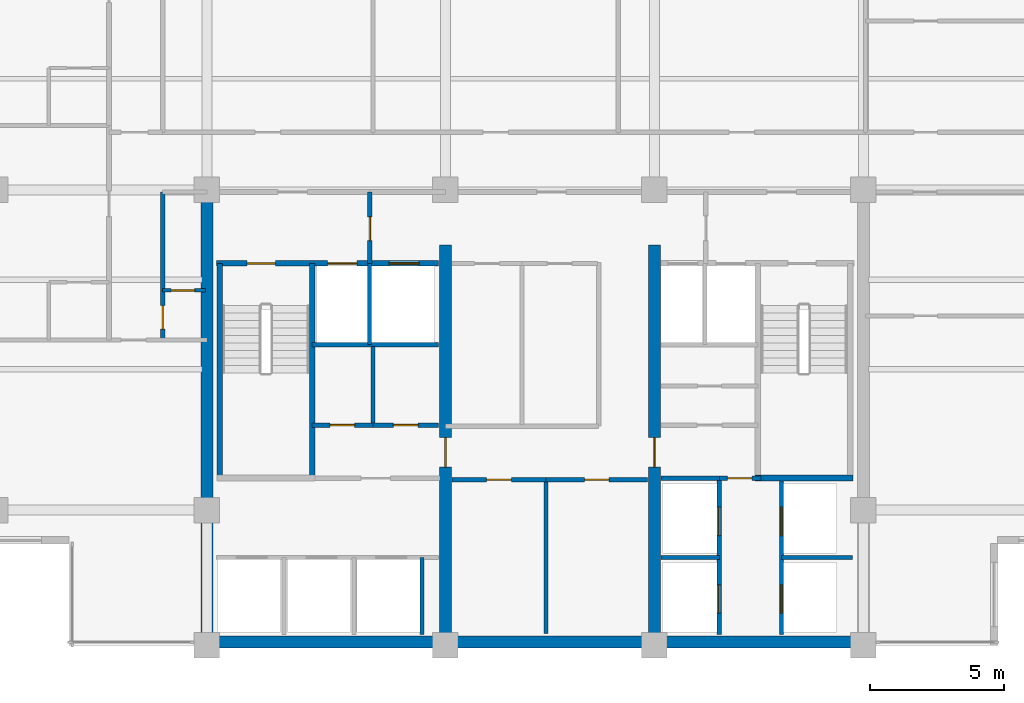
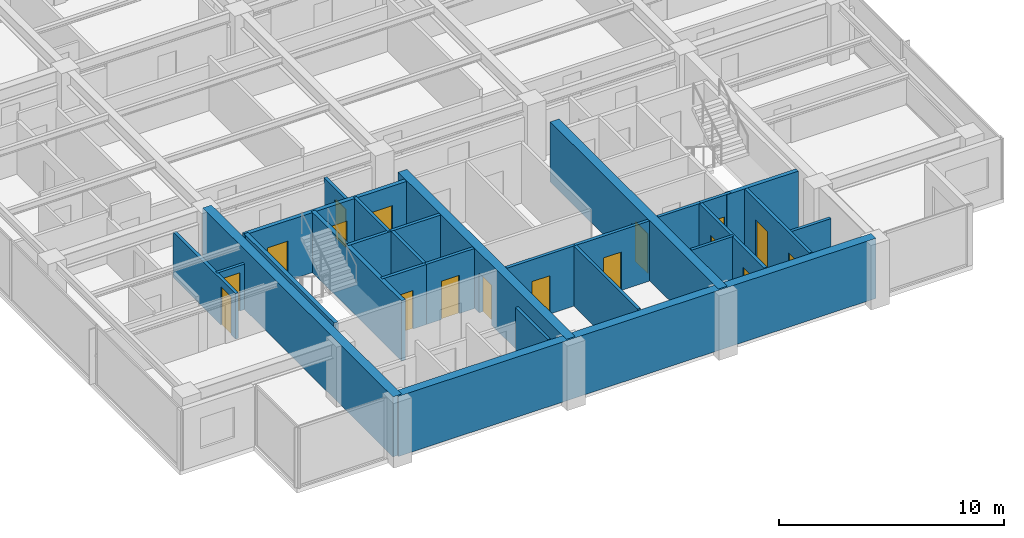
# One storey, part 7 of 14: 26 walls, 17 doors, 17 openings.
"""IFC4 building model written with IfcOpenShell, lengths in metres."""

from ifc_helpers import new_model, si_unit, direction, frame, frame_2d, origin, place, context, subcontext, project, spatial, rectangle, extrude, material, layer, layer_set, type_object, element, fill, save


model = new_model("IFC4")

# Units and contexts
model_context = context("Model", 3, precision=1e-05, world=origin(), true_north=direction((0.0, 1.0)))
body_context = subcontext(model_context, "Body", "Model", "MODEL_VIEW")
ifc_project = project(units=[si_unit("LENGTHUNIT", "METRE"), si_unit("AREAUNIT", "SQUARE_METRE"), si_unit("VOLUMEUNIT", "CUBIC_METRE"), si_unit("PLANEANGLEUNIT", "RADIAN"), si_unit("MASSUNIT", "GRAM", prefix="KILO")], contexts=[model_context])

# Site, building, storey
site_placement = place(None, origin())
site = spatial("IfcSite", under=ifc_project, at=site_placement, CompositionType="ELEMENT")
building_placement = place(site_placement, origin())
building = spatial("IfcBuilding", under=site, at=building_placement, Name="Qalmaran Belvedere Hotel", CompositionType="ELEMENT")
storey_placement = place(building_placement, frame((0.0, 0.0, 210.89990234375)))
storey = spatial("IfcBuildingStorey", under=building, at=storey_placement, Name="L53", CompositionType="ELEMENT", Elevation=210.89990234375)

# Wall
ifc_material_1 = material(Name="Concrete C50/60", Category="concrete")
ifc_layer_1 = layer(ifc_material_1, 0.449951171875, Name="Concrete C50/60")
ifc_layer_set_1 = layer_set([ifc_layer_1], Name="Concrete C50/60")
wall_type_1 = type_object("IfcWallType", Name="WL-CORE-450-C50", PredefinedType="SHEAR", material=ifc_layer_set_1)
wall_1_placement = place(storey_placement, frame((20.300048828125, 3.5, 0.0), z_axis=(0.0, 0.0, 1.0), x_axis=(0.0, 1.0, 0.0)))
element("IfcWall", 1, at=wall_1_placement, inside=storey, type_object=wall_type_1, Name="L53 West Core Shear Wall", PredefinedType="SHEAR", context=body_context, shape_type="SweptSolid", body=[
    extrude(rectangle(XDim=16.89990234375, YDim=0.449951171875, at=frame_2d((8.449951171875, 0.0))), origin(), (0.0, 0.0, 1.0), 3.260009765625),
])

# Wall, opening, door
wall_2_placement = place(storey_placement, frame((29.199951171875, 3.5, 0.0), z_axis=(0.0, 0.0, 1.0), x_axis=(0.0, 1.0, 0.0)))
wall_2 = element("IfcWall", 2, at=wall_2_placement, inside=storey, type_object=wall_type_1, Name="L53 Core West Spine Shear Wall", PredefinedType="SHEAR", context=body_context, shape_type="SweptSolid", body=[
    extrude(rectangle(XDim=14.949951171875, YDim=0.449951171875, at=frame_2d((7.47509765625, 0.0))), origin(), (0.0, 0.0, 1.0), 3.260009765625),
])
opening_1_placement = place(wall_2_placement, frame((7.75, 0.0, 0.0), z_axis=(0.0, 0.0, 1.0), x_axis=(-1.0, 0.0, 0.0)))
opening_1 = element("IfcOpeningElement", 3, at=opening_1_placement, cuts=wall_2, Name="Opening FD90", PredefinedType="OPENING", context=body_context, shape_type="SweptSolid", body=[
    extrude(rectangle(XDim=1.10009765625, YDim=2.14990234375, at=frame_2d((0.550048828125, 1.074951171875))), frame((0.0, 0.23486328125, 0.0), z_axis=(0.0, -1.0, 0.0), x_axis=(1.0, 0.0, 0.0)), (0.0, 0.0, 1.0), 0.469970703125),
])
ifc_material_2 = material(Name="Steel S355JR", Category="steel")
door_type_1 = type_object("IfcDoorType", Name="DR-FD90-1100X2150", OperationType="NOTDEFINED", PredefinedType="DOOR", material=ifc_material_2)
door_1_placement = place(opening_1_placement, origin())
door_1 = element("IfcDoor", 4, at=door_1_placement, inside=storey, type_object=door_type_1, Name="L53 Core West Cross-Lobby Door", OperationType="SINGLE_SWING_RIGHT", OverallHeight=2.14990234375, OverallWidth=1.10009765625, PredefinedType="DOOR", context=body_context, shape_type="SweptSolid", body=[
    extrude(rectangle(XDim=1.10009765625, YDim=2.14990234375, at=frame_2d((0.550048828125, 1.074951171875))), frame((0.0, 0.02490234375, 0.0), z_axis=(0.0, -1.0, 0.0), x_axis=(1.0, 0.0, 0.0)), (0.0, 0.0, 1.0), 0.050048828125),
])
fill(opening_1, door_1)

wall_3_placement = place(storey_placement, frame((37.0, 3.5, 0.0), z_axis=(0.0, 0.0, 1.0), x_axis=(0.0, 1.0, 0.0)))
wall_3 = element("IfcWall", 5, at=wall_3_placement, inside=storey, type_object=wall_type_1, Name="L53 Core East Spine Shear Wall", PredefinedType="SHEAR", context=body_context, shape_type="SweptSolid", body=[
    extrude(rectangle(XDim=14.949951171875, YDim=0.449951171875, at=frame_2d((7.47509765625, 0.0))), origin(), (0.0, 0.0, 1.0), 3.260009765625),
])
opening_2_placement = place(wall_3_placement, frame((6.64990234375, 0.0, 0.0)))
opening_2 = element("IfcOpeningElement", 6, at=opening_2_placement, cuts=wall_3, Name="Opening FD90", PredefinedType="OPENING", context=body_context, shape_type="SweptSolid", body=[
    extrude(rectangle(XDim=1.10009765625, YDim=2.14990234375, at=frame_2d((0.550048828125, 1.074951171875))), frame((0.0, 0.23486328125, 0.0), z_axis=(0.0, -1.0, 0.0), x_axis=(1.0, 0.0, 0.0)), (0.0, 0.0, 1.0), 0.469970703125),
])
door_2_placement = place(opening_2_placement, origin())
door_2 = element("IfcDoor", 7, at=door_2_placement, inside=storey, type_object=door_type_1, Name="L53 Core East Cross-Lobby Door", OperationType="SINGLE_SWING_LEFT", OverallHeight=2.14990234375, OverallWidth=1.10009765625, PredefinedType="DOOR", context=body_context, shape_type="SweptSolid", body=[
    extrude(rectangle(XDim=1.10009765625, YDim=2.14990234375, at=frame_2d((0.550048828125, 1.074951171875))), frame((0.0, 0.02490234375, 0.0), z_axis=(0.0, -1.0, 0.0), x_axis=(1.0, 0.0, 0.0)), (0.0, 0.0, 1.0), 0.050048828125),
])
fill(opening_2, door_2)

# Wall
ifc_layer_2 = layer(ifc_material_1, 0.43994140625, Name="Concrete C50/60")
ifc_layer_set_2 = layer_set([ifc_layer_2], Name="Concrete C50/60")
wall_type_2 = type_object("IfcWallType", Name="WL-CORES-440-EXT", PredefinedType="SHEAR", material=ifc_layer_set_2)
wall_4_placement = place(storey_placement, frame((20.300048828125, 3.6298828125, 0.0), z_axis=(0.0, 0.0, 1.0), x_axis=(1.0, 0.0, 0.0)))
element("IfcWall", 8, at=wall_4_placement, inside=storey, type_object=wall_type_2, Name="L53 South Core Shear Wall", PredefinedType="SHEAR", context=body_context, shape_type="SweptSolid", body=[
    extrude(rectangle(XDim=24.5, YDim=0.43994140625, at=frame_2d((12.25, 0.0))), origin(), (0.0, 0.0, 1.0), 3.260009765625),
])

# Wall, opening, door
ifc_material_3 = material(Name="Gypsum Stud Partition")
ifc_layer_3 = layer(ifc_material_3, 0.139892578125, Name="Gypsum Stud Partition")
ifc_layer_set_3 = layer_set([ifc_layer_3], Name="Gypsum Stud Partition")
wall_type_3 = type_object("IfcWallType", Name="WL-INT-140-NR", PredefinedType="PARTITIONING", material=ifc_layer_set_3)
wall_5_placement = place(storey_placement, frame((18.64990234375, 16.75, 0.0), z_axis=(0.0, 0.0, 1.0), x_axis=(1.0, 0.0, 0.0)))
wall_5 = element("IfcWall", 9, at=wall_5_placement, inside=storey, type_object=wall_type_3, Name="L53 Partition WL-L53-WCLSUB", PredefinedType="PARTITIONING", context=body_context, shape_type="SweptSolid", body=[
    extrude(rectangle(XDim=1.60009765625, YDim=0.139892578125, at=frame_2d((0.800048828125, 0.0))), origin(), (0.0, 0.0, 1.0), 2.47216796875),
])
opening_3_placement = place(wall_5_placement, frame((1.193115234375, 0.0, 0.0), z_axis=(0.0, 0.0, 1.0), x_axis=(-1.0, 0.0, 0.0)))
opening_3 = element("IfcOpeningElement", 10, at=opening_3_placement, cuts=wall_5, Name="Opening D-BATH", PredefinedType="OPENING", context=body_context, shape_type="SweptSolid", body=[
    extrude(rectangle(XDim=0.8798828125, YDim=2.080078125, at=frame_2d((0.43994140625, 1.0400390625))), frame((0.0, 0.080078125, 0.0), z_axis=(0.0, -1.0, 0.0), x_axis=(1.0, 0.0, 0.0)), (0.0, 0.0, 1.0), 0.159912109375),
])
ifc_material_4 = material(Name="Engineered Oak Veneer")
door_type_2 = type_object("IfcDoorType", Name="DR-INT-BATH-880X2080", OperationType="NOTDEFINED", PredefinedType="DOOR", material=ifc_material_4)
door_3_placement = place(opening_3_placement, origin())
door_3 = element("IfcDoor", 11, at=door_3_placement, inside=storey, type_object=door_type_2, Name="L53 Closet Alcove Door", OperationType="SINGLE_SWING_LEFT", OverallHeight=2.080078125, OverallWidth=0.8798828125, PredefinedType="DOOR", context=body_context, shape_type="SweptSolid", body=[
    extrude(rectangle(XDim=0.8798828125, YDim=2.080078125, at=frame_2d((0.43994140625, 1.0400390625))), frame((0.0, 0.02490234375, 0.0), z_axis=(0.0, -1.0, 0.0), x_axis=(1.0, 0.0, 0.0)), (0.0, 0.0, 1.0), 0.050048828125),
])
fill(opening_3, door_3)

# Walls
ifc_layer_4 = layer(ifc_material_3, 0.14990234375, Name="Gypsum Stud Partition")
ifc_layer_set_4 = layer_set([ifc_layer_4], Name="Gypsum Stud Partition")
wall_type_4 = type_object("IfcWallType", Name="WL-INT-150-EI120", PredefinedType="PARTITIONING", material=ifc_layer_set_4)
wall_6_placement = place(storey_placement, frame((26.360107421875, 14.719970703125, 0.0), z_axis=(0.0, 0.0, 1.0), x_axis=(0.0, 1.0, 0.0)))
element("IfcWall", 12, at=wall_6_placement, inside=storey, type_object=wall_type_4, Name="L53 Partition WL-FF1M-L53", PredefinedType="PARTITIONING", context=body_context, shape_type="SweptSolid", body=[
    extrude(rectangle(XDim=3.0400390625, YDim=0.14990234375, at=frame_2d((1.52001953125, 0.0))), origin(), (0.0, 0.0, 1.0), 3.260009765625),
])
wall_7_placement = place(storey_placement, frame((28.320068359375, 3.89990234375, 0.0), z_axis=(0.0, 0.0, 1.0), x_axis=(0.0, 1.0, 0.0)))
element("IfcWall", 13, at=wall_7_placement, inside=storey, type_object=wall_type_4, Name="L53 Partition WL-POM3-L53", PredefinedType="PARTITIONING", context=body_context, shape_type="SweptSolid", body=[
    extrude(rectangle(XDim=2.880126953125, YDim=0.14990234375, at=frame_2d((1.43994140625, 0.0))), origin(), (0.0, 0.0, 1.0), 3.260009765625),
])
wall_8_placement = place(storey_placement, frame((37.25, 6.780029296875, 0.0), z_axis=(0.0, 0.0, 1.0), x_axis=(1.0, 0.0, 0.0)))
element("IfcWall", 14, at=wall_8_placement, inside=storey, type_object=wall_type_4, Name="L53 Partition WL-PHMW-L53", PredefinedType="PARTITIONING", context=body_context, shape_type="SweptSolid", body=[
    extrude(rectangle(XDim=2.169921875, YDim=0.14990234375, at=frame_2d((1.0849609375, 0.0))), origin(), (0.0, 0.0, 1.0), 3.260009765625),
])
wall_9_placement = place(storey_placement, frame((41.739990234375, 6.780029296875, 0.0), z_axis=(0.0, 0.0, 1.0), x_axis=(1.0, 0.0, 0.0)))
element("IfcWall", 15, at=wall_9_placement, inside=storey, type_object=wall_type_4, Name="L53 Partition WL-PHME-L53", PredefinedType="PARTITIONING", context=body_context, shape_type="SweptSolid", body=[
    extrude(rectangle(XDim=2.659912109375, YDim=0.14990234375, at=frame_2d((1.330078125, 0.0))), origin(), (0.0, 0.0, 1.0), 2.47216796875),
])
ifc_layer_5 = layer(ifc_material_3, 0.14990234375, Name="Gypsum Stud Partition")
ifc_layer_set_5 = layer_set([ifc_layer_5], Name="Gypsum Stud Partition")
wall_type_5 = type_object("IfcWallType", Name="WL-INT-150-EI60", PredefinedType="PARTITIONING", material=ifc_layer_set_5)
wall_10_placement = place(storey_placement, frame((26.490478515625, 11.719970703125, 0.0), z_axis=(0.0, 0.0, 1.0), x_axis=(0.0, 1.0, 0.0)))
element("IfcWall", 16, at=wall_10_placement, inside=storey, type_object=wall_type_5, Name="L53 Partition WL-L53-KWV1", PredefinedType="PARTITIONING", context=body_context, shape_type="SweptSolid", body=[
    extrude(rectangle(XDim=2.929931640625, YDim=0.14990234375, at=frame_2d((1.46484375, 0.0))), origin(), (0.0, 0.0, 1.0), 3.260009765625),
])
wall_11_placement = place(storey_placement, frame((32.9541015625, 3.949951171875, 0.0), z_axis=(0.0, 0.0, 1.0), x_axis=(0.0, 1.0, 0.0)))
element("IfcWall", 17, at=wall_11_placement, inside=storey, type_object=wall_type_5, Name="L53 Partition WL-L53-KPLV1", PredefinedType="PARTITIONING", context=body_context, shape_type="SweptSolid", body=[
    extrude(rectangle(XDim=5.72998046875, YDim=0.14990234375, at=frame_2d((2.864990234375, 0.0))), origin(), (0.0, 0.0, 1.0), 3.260009765625),
])

# Wall, opening, door
ifc_layer_6 = layer(ifc_material_3, 0.159912109375, Name="Gypsum Stud Partition")
ifc_layer_set_6 = layer_set([ifc_layer_6], Name="Gypsum Stud Partition")
wall_type_6 = type_object("IfcWallType", Name="WL-INT-160-EI120", PredefinedType="PARTITIONING", material=ifc_layer_set_6)
wall_12_placement = place(storey_placement, frame((26.3798828125, 17.760009765625, 0.0), z_axis=(0.0, 0.0, 1.0), x_axis=(0.0, 1.0, 0.0)))
wall_12 = element("IfcWall", 18, at=wall_12_placement, inside=storey, type_object=wall_type_6, Name="L53 Partition WL-FFSV1-L53", PredefinedType="PARTITIONING", context=body_context, shape_type="SweptSolid", body=[
    extrude(rectangle(XDim=2.659912109375, YDim=0.159912109375, at=frame_2d((1.330078125, 0.0))), origin(), (0.0, 0.0, 1.0), 2.7060546875),
])
opening_4_placement = place(wall_12_placement, frame((0.85009765625, 0.0, 0.0)))
opening_4 = element("IfcOpeningElement", 19, at=opening_4_placement, cuts=wall_12, Name="Opening FD60B", PredefinedType="OPENING", context=body_context, shape_type="SweptSolid", body=[
    extrude(rectangle(XDim=0.8798828125, YDim=2.080078125, at=frame_2d((0.43994140625, 1.0400390625))), frame((0.0, 0.08984375, 0.0), z_axis=(0.0, -1.0, 0.0), x_axis=(1.0, 0.0, 0.0)), (0.0, 0.0, 1.0), 0.179931640625),
])
door_type_3 = type_object("IfcDoorType", Name="DR-FD60B-880X2080", OperationType="NOTDEFINED", PredefinedType="DOOR", material=ifc_material_2)
door_4_placement = place(opening_4_placement, origin())
door_4 = element("IfcDoor", 20, at=door_4_placement, inside=storey, type_object=door_type_3, Name="L53 Service Lobby West Door", OperationType="SINGLE_SWING_RIGHT", OverallHeight=2.080078125, OverallWidth=0.8798828125, PredefinedType="DOOR", context=body_context, shape_type="SweptSolid", body=[
    extrude(rectangle(XDim=0.8798828125, YDim=2.080078125, at=frame_2d((0.43994140625, 1.0400390625))), frame((0.0, 0.02490234375, 0.0), z_axis=(0.0, -1.0, 0.0), x_axis=(1.0, 0.0, 0.0)), (0.0, 0.0, 1.0), 0.050048828125),
])
fill(opening_4, door_4)

# Wall
wall_13_placement = place(storey_placement, frame((24.219970703125, 14.719970703125, 0.0), z_axis=(0.0, 0.0, 1.0), x_axis=(1.0, 0.0, 0.0)))
element("IfcWall", 21, at=wall_13_placement, inside=storey, type_object=wall_type_6, Name="L53 Partition WL-FF1S-L53", PredefinedType="PARTITIONING", context=body_context, shape_type="SweptSolid", body=[
    extrude(rectangle(XDim=4.72998046875, YDim=0.159912109375, at=frame_2d((2.364990234375, 0.0))), origin(), (0.0, 0.0, 1.0), 3.260009765625),
])

# Wall, openings, doors
wall_14_placement = place(storey_placement, frame((39.419921875, 3.89990234375, 0.0), z_axis=(0.0, 0.0, 1.0), x_axis=(0.0, 1.0, 0.0)))
wall_14 = element("IfcWall", 22, at=wall_14_placement, inside=storey, type_object=wall_type_6, Name="L53 Partition WL-PHW-L53", PredefinedType="PARTITIONING", context=body_context, shape_type="SweptSolid", body=[
    extrude(rectangle(XDim=5.840087890625, YDim=0.159912109375, at=frame_2d((2.919921875, 0.0))), origin(), (0.0, 0.0, 1.0), 3.260009765625),
])
opening_5_placement = place(wall_14_placement, frame((1.860107421875, 0.0, 0.0), z_axis=(0.0, 0.0, 1.0), x_axis=(-1.0, 0.0, 0.0)))
opening_5 = element("IfcOpeningElement", 23, at=opening_5_placement, cuts=wall_14, Name="Opening LD-P2", PredefinedType="OPENING", context=body_context, shape_type="SweptSolid", body=[
    extrude(rectangle(XDim=1.06005859375, YDim=2.159912109375, at=frame_2d((0.530029296875, 1.080078125))), frame((0.0, 0.08984375, 0.0), z_axis=(0.0, -1.0, 0.0), x_axis=(1.0, 0.0, 0.0)), (0.0, 0.0, 1.0), 0.179931640625),
])
opening_6_placement = place(wall_14_placement, frame((4.760009765625, 0.0, 0.0), z_axis=(0.0, 0.0, 1.0), x_axis=(-1.0, 0.0, 0.0)))
opening_6 = element("IfcOpeningElement", 24, at=opening_6_placement, cuts=wall_14, Name="Opening LD-P2", PredefinedType="OPENING", context=body_context, shape_type="SweptSolid", body=[
    extrude(rectangle(XDim=1.06005859375, YDim=2.159912109375, at=frame_2d((0.530029296875, 1.080078125))), frame((0.0, 0.08984375, 0.0), z_axis=(0.0, -1.0, 0.0), x_axis=(1.0, 0.0, 0.0)), (0.0, 0.0, 1.0), 0.179931640625),
])
ifc_material_5 = material(Name="Stainless Steel 1.4401", Category="steel")
door_type_4 = type_object("IfcDoorType", Name="DR-LIFT-P2-1060X2160", OperationType="DOUBLE_DOOR_SLIDING", PredefinedType="DOOR", material=ifc_material_5)
door_5_placement = place(opening_5_placement, origin())
door_5 = element("IfcDoor", 25, at=door_5_placement, inside=storey, type_object=door_type_4, Name="L53 PH1 Lift Landing Door", OperationType="DOUBLE_DOOR_SLIDING", OverallHeight=2.159912109375, OverallWidth=1.06005859375, PredefinedType="DOOR", context=body_context, shape_type="SweptSolid", body=[
    extrude(rectangle(XDim=1.06005859375, YDim=2.159912109375, at=frame_2d((0.530029296875, 1.080078125))), frame((0.0, 0.02490234375, 0.0), z_axis=(0.0, -1.0, 0.0), x_axis=(1.0, 0.0, 0.0)), (0.0, 0.0, 1.0), 0.050048828125),
])
fill(opening_5, door_5)
door_6_placement = place(opening_6_placement, origin())
door_6 = element("IfcDoor", 26, at=door_6_placement, inside=storey, type_object=door_type_4, Name="L53 PH2 Lift Landing Door", OperationType="DOUBLE_DOOR_SLIDING", OverallHeight=2.159912109375, OverallWidth=1.06005859375, PredefinedType="DOOR", context=body_context, shape_type="SweptSolid", body=[
    extrude(rectangle(XDim=1.06005859375, YDim=2.159912109375, at=frame_2d((0.530029296875, 1.080078125))), frame((0.0, 0.02490234375, 0.0), z_axis=(0.0, -1.0, 0.0), x_axis=(1.0, 0.0, 0.0)), (0.0, 0.0, 1.0), 0.050048828125),
])
fill(opening_6, door_6)

wall_15_placement = place(storey_placement, frame((41.739990234375, 3.89990234375, 0.0), z_axis=(0.0, 0.0, 1.0), x_axis=(0.0, 1.0, 0.0)))
wall_15 = element("IfcWall", 27, at=wall_15_placement, inside=storey, type_object=wall_type_6, Name="L53 Partition WL-PHE-L53", PredefinedType="PARTITIONING", context=body_context, shape_type="SweptSolid", body=[
    extrude(rectangle(XDim=5.840087890625, YDim=0.159912109375, at=frame_2d((2.919921875, 0.0))), origin(), (0.0, 0.0, 1.0), 3.260009765625),
])
opening_7_placement = place(wall_15_placement, frame((0.800048828125, 0.0, 0.0)))
opening_7 = element("IfcOpeningElement", 28, at=opening_7_placement, cuts=wall_15, Name="Opening LD-P2", PredefinedType="OPENING", context=body_context, shape_type="SweptSolid", body=[
    extrude(rectangle(XDim=1.06005859375, YDim=2.159912109375, at=frame_2d((0.530029296875, 1.080078125))), frame((0.0, 0.08984375, 0.0), z_axis=(0.0, -1.0, 0.0), x_axis=(1.0, 0.0, 0.0)), (0.0, 0.0, 1.0), 0.179931640625),
])
opening_8_placement = place(wall_15_placement, frame((3.699951171875, 0.0, 0.0)))
opening_8 = element("IfcOpeningElement", 29, at=opening_8_placement, cuts=wall_15, Name="Opening LD-P2", PredefinedType="OPENING", context=body_context, shape_type="SweptSolid", body=[
    extrude(rectangle(XDim=1.06005859375, YDim=2.159912109375, at=frame_2d((0.530029296875, 1.080078125))), frame((0.0, 0.08984375, 0.0), z_axis=(0.0, -1.0, 0.0), x_axis=(1.0, 0.0, 0.0)), (0.0, 0.0, 1.0), 0.179931640625),
])
door_7_placement = place(opening_7_placement, origin())
door_7 = element("IfcDoor", 30, at=door_7_placement, inside=storey, type_object=door_type_4, Name="L53 PH3 Lift Landing Door", OperationType="DOUBLE_DOOR_SLIDING", OverallHeight=2.159912109375, OverallWidth=1.06005859375, PredefinedType="DOOR", context=body_context, shape_type="SweptSolid", body=[
    extrude(rectangle(XDim=1.06005859375, YDim=2.159912109375, at=frame_2d((0.530029296875, 1.080078125))), frame((0.0, 0.02490234375, 0.0), z_axis=(0.0, -1.0, 0.0), x_axis=(1.0, 0.0, 0.0)), (0.0, 0.0, 1.0), 0.050048828125),
])
fill(opening_7, door_7)
door_8_placement = place(opening_8_placement, origin())
door_8 = element("IfcDoor", 31, at=door_8_placement, inside=storey, type_object=door_type_4, Name="L53 PH4 Lift Landing Door", OperationType="DOUBLE_DOOR_SLIDING", OverallHeight=2.159912109375, OverallWidth=1.06005859375, PredefinedType="DOOR", context=body_context, shape_type="SweptSolid", body=[
    extrude(rectangle(XDim=1.06005859375, YDim=2.159912109375, at=frame_2d((0.530029296875, 1.080078125))), frame((0.0, 0.02490234375, 0.0), z_axis=(0.0, -1.0, 0.0), x_axis=(1.0, 0.0, 0.0)), (0.0, 0.0, 1.0), 0.050048828125),
])
fill(opening_8, door_8)

# Wall
wall_16_placement = place(storey_placement, frame((37.25, 9.739990234375, 0.0), z_axis=(0.0, 0.0, 1.0), x_axis=(1.0, 0.0, 0.0)))
element("IfcWall", 32, at=wall_16_placement, inside=storey, type_object=wall_type_6, Name="L53 Partition WL-PHNW-L53", PredefinedType="PARTITIONING", context=body_context, shape_type="SweptSolid", body=[
    extrude(rectangle(XDim=2.169921875, YDim=0.159912109375, at=frame_2d((1.0849609375, 0.0))), origin(), (0.0, 0.0, 1.0), 3.260009765625),
])

# Wall, opening, door
wall_17_placement = place(storey_placement, frame((39.419921875, 9.739990234375, 0.0), z_axis=(0.0, 0.0, 1.0), x_axis=(1.0, 0.0, 0.0)))
wall_17 = element("IfcWall", 33, at=wall_17_placement, inside=storey, type_object=wall_type_6, Name="L53 Partition WL-PHNL-L53", PredefinedType="PARTITIONING", context=body_context, shape_type="SweptSolid", body=[
    extrude(rectangle(XDim=1.56005859375, YDim=0.159912109375, at=frame_2d((0.780029296875, 0.0))), origin(), (0.0, 0.0, 1.0), 3.260009765625),
])
opening_9_placement = place(wall_17_placement, frame((0.300048828125, 0.0, 0.0)))
opening_9 = element("IfcOpeningElement", 34, at=opening_9_placement, cuts=wall_17, Name="Opening FD60S1", PredefinedType="OPENING", context=body_context, shape_type="SweptSolid", body=[
    extrude(rectangle(XDim=0.919921875, YDim=2.080078125, at=frame_2d((0.4599609375, 1.0400390625))), frame((0.0, 0.08984375, 0.0), z_axis=(0.0, -1.0, 0.0), x_axis=(1.0, 0.0, 0.0)), (0.0, 0.0, 1.0), 0.179931640625),
])
door_type_5 = type_object("IfcDoorType", Name="DR-FD60S-920X2080", OperationType="NOTDEFINED", PredefinedType="DOOR", material=ifc_material_4)
door_9_placement = place(opening_9_placement, origin())
door_9 = element("IfcDoor", 35, at=door_9_placement, inside=storey, type_object=door_type_5, Name="L53 High-Rise Lift Lobby Passage Door", OperationType="SINGLE_SWING_RIGHT", OverallHeight=2.080078125, OverallWidth=0.919921875, PredefinedType="DOOR", context=body_context, shape_type="SweptSolid", body=[
    extrude(rectangle(XDim=0.919921875, YDim=2.080078125, at=frame_2d((0.4599609375, 1.0400390625))), frame((0.0, 0.02490234375, 0.0), z_axis=(0.0, -1.0, 0.0), x_axis=(1.0, 0.0, 0.0)), (0.0, 0.0, 1.0), 0.050048828125),
])
fill(opening_9, door_9)

ifc_layer_7 = layer(ifc_material_3, 0.159912109375, Name="Gypsum Stud Partition")
ifc_layer_set_7 = layer_set([ifc_layer_7], Name="Gypsum Stud Partition")
wall_type_7 = type_object("IfcWallType", Name="WL-INT-160-EI60", PredefinedType="PARTITIONING", material=ifc_layer_set_7)
wall_18_placement = place(storey_placement, frame((24.219970703125, 11.719970703125, 0.0), z_axis=(0.0, 0.0, 1.0), x_axis=(1.0, 0.0, 0.0)))
wall_18 = element("IfcWall", 36, at=wall_18_placement, inside=storey, type_object=wall_type_7, Name="L53 Partition WL-L53-KWE1", PredefinedType="PARTITIONING", context=body_context, shape_type="SweptSolid", body=[
    extrude(rectangle(XDim=2.2705078125, YDim=0.159912109375, at=frame_2d((1.13525390625, 0.0))), origin(), (0.0, 0.0, 1.0), 3.260009765625),
])
opening_10_placement = place(wall_18_placement, frame((0.67529296875, 0.0, 0.0)))
opening_10 = element("IfcOpeningElement", 37, at=opening_10_placement, cuts=wall_18, Name="Opening FD60S1", PredefinedType="OPENING", context=body_context, shape_type="SweptSolid", body=[
    extrude(rectangle(XDim=0.919921875, YDim=2.080078125, at=frame_2d((0.4599609375, 1.0400390625))), frame((0.0, 0.08984375, 0.0), z_axis=(0.0, -1.0, 0.0), x_axis=(1.0, 0.0, 0.0)), (0.0, 0.0, 1.0), 0.179931640625),
])
door_10_placement = place(opening_10_placement, origin())
door_10 = element("IfcDoor", 38, at=door_10_placement, inside=storey, type_object=door_type_5, Name="L53 Telecom and IT Room Door", OperationType="SINGLE_SWING_LEFT", OverallHeight=2.080078125, OverallWidth=0.919921875, PredefinedType="DOOR", context=body_context, shape_type="SweptSolid", body=[
    extrude(rectangle(XDim=0.919921875, YDim=2.080078125, at=frame_2d((0.4599609375, 1.0400390625))), frame((0.0, 0.02490234375, 0.0), z_axis=(0.0, -1.0, 0.0), x_axis=(1.0, 0.0, 0.0)), (0.0, 0.0, 1.0), 0.050048828125),
])
fill(opening_10, door_10)

wall_19_placement = place(storey_placement, frame((26.490478515625, 11.719970703125, 0.0), z_axis=(0.0, 0.0, 1.0), x_axis=(1.0, 0.0, 0.0)))
wall_19 = element("IfcWall", 39, at=wall_19_placement, inside=storey, type_object=wall_type_7, Name="L53 Partition WL-L53-KWE2", PredefinedType="PARTITIONING", context=body_context, shape_type="SweptSolid", body=[
    extrude(rectangle(XDim=2.45947265625, YDim=0.159912109375, at=frame_2d((1.229736328125, 0.0))), origin(), (0.0, 0.0, 1.0), 3.260009765625),
])
opening_11_placement = place(wall_19_placement, frame((0.769775390625, 0.0, 0.0)))
opening_11 = element("IfcOpeningElement", 40, at=opening_11_placement, cuts=wall_19, Name="Opening FD60S1", PredefinedType="OPENING", context=body_context, shape_type="SweptSolid", body=[
    extrude(rectangle(XDim=0.919921875, YDim=2.080078125, at=frame_2d((0.4599609375, 1.0400390625))), frame((0.0, 0.08984375, 0.0), z_axis=(0.0, -1.0, 0.0), x_axis=(1.0, 0.0, 0.0)), (0.0, 0.0, 1.0), 0.179931640625),
])
door_11_placement = place(opening_11_placement, origin())
door_11 = element("IfcDoor", 41, at=door_11_placement, inside=storey, type_object=door_type_5, Name="L53 Cleaner Supply Store Door", OperationType="SINGLE_SWING_RIGHT", OverallHeight=2.080078125, OverallWidth=0.919921875, PredefinedType="DOOR", context=body_context, shape_type="SweptSolid", body=[
    extrude(rectangle(XDim=0.919921875, YDim=2.080078125, at=frame_2d((0.4599609375, 1.0400390625))), frame((0.0, 0.02490234375, 0.0), z_axis=(0.0, -1.0, 0.0), x_axis=(1.0, 0.0, 0.0)), (0.0, 0.0, 1.0), 0.050048828125),
])
fill(opening_11, door_11)

wall_20_placement = place(storey_placement, frame((29.449951171875, 9.679931640625, 0.0), z_axis=(0.0, 0.0, 1.0), x_axis=(1.0, 0.0, 0.0)))
wall_20 = element("IfcWall", 42, at=wall_20_placement, inside=storey, type_object=wall_type_7, Name="L53 Partition WL-L53-KPLE1", PredefinedType="PARTITIONING", context=body_context, shape_type="SweptSolid", body=[
    extrude(rectangle(XDim=3.504150390625, YDim=0.159912109375, at=frame_2d((1.751953125, 0.0))), origin(), (0.0, 0.0, 1.0), 3.260009765625),
])
opening_12_placement = place(wall_20_placement, frame((2.2119140625, 0.0, 0.0), z_axis=(0.0, 0.0, 1.0), x_axis=(-1.0, 0.0, 0.0)))
opening_12 = element("IfcOpeningElement", 43, at=opening_12_placement, cuts=wall_20, Name="Opening FD60S1", PredefinedType="OPENING", context=body_context, shape_type="SweptSolid", body=[
    extrude(rectangle(XDim=0.919921875, YDim=2.080078125, at=frame_2d((0.4599609375, 1.0400390625))), frame((0.0, 0.08984375, 0.0), z_axis=(0.0, -1.0, 0.0), x_axis=(1.0, 0.0, 0.0)), (0.0, 0.0, 1.0), 0.179931640625),
])
door_12_placement = place(opening_12_placement, origin())
door_12 = element("IfcDoor", 44, at=door_12_placement, inside=storey, type_object=door_type_5, Name="L53 Hotel Butler Service Pantry Door", OperationType="SINGLE_SWING_LEFT", OverallHeight=2.080078125, OverallWidth=0.919921875, PredefinedType="DOOR", context=body_context, shape_type="SweptSolid", body=[
    extrude(rectangle(XDim=0.919921875, YDim=2.080078125, at=frame_2d((0.4599609375, 1.0400390625))), frame((0.0, 0.02490234375, 0.0), z_axis=(0.0, -1.0, 0.0), x_axis=(1.0, 0.0, 0.0)), (0.0, 0.0, 1.0), 0.050048828125),
])
fill(opening_12, door_12)

wall_21_placement = place(storey_placement, frame((32.9541015625, 9.679931640625, 0.0), z_axis=(0.0, 0.0, 1.0), x_axis=(1.0, 0.0, 0.0)))
wall_21 = element("IfcWall", 45, at=wall_21_placement, inside=storey, type_object=wall_type_7, Name="L53 Partition WL-L53-KPLE2", PredefinedType="PARTITIONING", context=body_context, shape_type="SweptSolid", body=[
    extrude(rectangle(XDim=3.7958984375, YDim=0.159912109375, at=frame_2d((1.89794921875, 0.0))), origin(), (0.0, 0.0, 1.0), 3.260009765625),
])
opening_13_placement = place(wall_21_placement, frame((2.35791015625, 0.0, 0.0), z_axis=(0.0, 0.0, 1.0), x_axis=(-1.0, 0.0, 0.0)))
opening_13 = element("IfcOpeningElement", 46, at=opening_13_placement, cuts=wall_21, Name="Opening FD60S1", PredefinedType="OPENING", context=body_context, shape_type="SweptSolid", body=[
    extrude(rectangle(XDim=0.919921875, YDim=2.080078125, at=frame_2d((0.4599609375, 1.0400390625))), frame((0.0, 0.08984375, 0.0), z_axis=(0.0, -1.0, 0.0), x_axis=(1.0, 0.0, 0.0)), (0.0, 0.0, 1.0), 0.179931640625),
])
door_13_placement = place(opening_13_placement, origin())
door_13 = element("IfcDoor", 47, at=door_13_placement, inside=storey, type_object=door_type_5, Name="L53 Guest Valet Supply Store Door", OperationType="SINGLE_SWING_RIGHT", OverallHeight=2.080078125, OverallWidth=0.919921875, PredefinedType="DOOR", context=body_context, shape_type="SweptSolid", body=[
    extrude(rectangle(XDim=0.919921875, YDim=2.080078125, at=frame_2d((0.4599609375, 1.0400390625))), frame((0.0, 0.02490234375, 0.0), z_axis=(0.0, -1.0, 0.0), x_axis=(1.0, 0.0, 0.0)), (0.0, 0.0, 1.0), 0.050048828125),
])
fill(opening_13, door_13)

wall_22_placement = place(storey_placement, frame((18.64990234375, 14.89990234375, 0.0), z_axis=(0.0, 0.0, 1.0), x_axis=(0.0, 1.0, 0.0)))
wall_22 = element("IfcWall", 48, at=wall_22_placement, inside=storey, type_object=wall_type_7, Name="L53 Partition WL-L53-WCL", PredefinedType="PARTITIONING", context=body_context, shape_type="SweptSolid", body=[
    extrude(rectangle(XDim=5.52001953125, YDim=0.159912109375, at=frame_2d((2.760009765625, 0.0))), origin(), (0.0, 0.0, 1.0), 2.47216796875),
])
opening_14_placement = place(wall_22_placement, frame((1.27978515625, 0.0, 0.0), z_axis=(0.0, 0.0, 1.0), x_axis=(-1.0, 0.0, 0.0)))
opening_14 = element("IfcOpeningElement", 49, at=opening_14_placement, cuts=wall_22, Name="Opening FD60B", PredefinedType="OPENING", context=body_context, shape_type="SweptSolid", body=[
    extrude(rectangle(XDim=0.8798828125, YDim=2.080078125, at=frame_2d((0.43994140625, 1.0400390625))), frame((0.0, 0.08984375, 0.0), z_axis=(0.0, -1.0, 0.0), x_axis=(1.0, 0.0, 0.0)), (0.0, 0.0, 1.0), 0.179931640625),
])
door_14_placement = place(opening_14_placement, origin())
door_14 = element("IfcDoor", 50, at=door_14_placement, inside=storey, type_object=door_type_3, Name="L53 West Closet Door", OperationType="SINGLE_SWING_RIGHT", OverallHeight=2.080078125, OverallWidth=0.8798828125, PredefinedType="DOOR", context=body_context, shape_type="SweptSolid", body=[
    extrude(rectangle(XDim=0.8798828125, YDim=2.080078125, at=frame_2d((0.43994140625, 1.0400390625))), frame((0.0, 0.02490234375, 0.0), z_axis=(0.0, -1.0, 0.0), x_axis=(1.0, 0.0, 0.0)), (0.0, 0.0, 1.0), 0.050048828125),
])
fill(opening_14, door_14)

# Walls
ifc_layer_8 = layer(ifc_material_1, 0.2099609375, Name="Concrete C50/60")
ifc_layer_set_8 = layer_set([ifc_layer_8], Name="Concrete C50/60")
wall_type_8 = type_object("IfcWallType", Name="WL-STAIR-210-C50", PredefinedType="SHEAR", material=ifc_layer_set_8)
for number, where, z_axis, x_axis, name in (
    (51, (20.77490234375, 9.7451171875, 0.0), (0.0, 0.0, 1.0), (0.0, 1.0, 0.0), "L53 Stair ST-1 West Bearing Wall"),
    (52, (24.22509765625, 9.7451171875, 0.0), (0.0, 0.0, 1.0), (0.0, 1.0, 0.0), "L53 Stair ST-1 East Bearing Wall"),
):
    element("IfcWall", number, at=place(storey_placement, frame(where, z_axis=z_axis, x_axis=x_axis)), inside=storey, type_object=wall_type_8, Name=name, PredefinedType="SHEAR", context=body_context, shape_type="SweptSolid", body=[
        extrude(rectangle(XDim=8.009765625, YDim=0.2099609375, at=frame_2d((4.0048828125, 0.0))), origin(), (0.0, 0.0, 1.0), 3.260009765625),
    ])

# Wall, openings, doors
wall_23_placement = place(storey_placement, frame((20.64990234375, 17.7548828125, 0.0), z_axis=(0.0, 0.0, 1.0), x_axis=(1.0, 0.0, 0.0)))
wall_23 = element("IfcWall", 53, at=wall_23_placement, inside=storey, type_object=wall_type_8, Name="L53 West Lobby and Stair ST-1 North Bearing Wall", PredefinedType="SHEAR", context=body_context, shape_type="SweptSolid", body=[
    extrude(rectangle(XDim=8.300048828125, YDim=0.2099609375, at=frame_2d((4.14990234375, 0.0))), origin(), (0.0, 0.0, 1.0), 3.260009765625),
])
opening_15_placement = place(wall_23_placement, frame((2.199951171875, 0.0, 0.0), z_axis=(0.0, 0.0, 1.0), x_axis=(-1.0, 0.0, 0.0)))
opening_15 = element("IfcOpeningElement", 54, at=opening_15_placement, cuts=wall_23, Name="Opening FD90S2", PredefinedType="OPENING", context=body_context, shape_type="SweptSolid", body=[
    extrude(rectangle(XDim=1.050048828125, YDim=2.14990234375, at=frame_2d((0.52490234375, 1.074951171875))), frame((0.0, 0.114990234375, 0.0), z_axis=(0.0, -1.0, 0.0), x_axis=(1.0, 0.0, 0.0)), (0.0, 0.0, 1.0), 0.22998046875),
])
opening_16_placement = place(wall_23_placement, frame((4.14990234375, 0.0, 0.0)))
opening_16 = element("IfcOpeningElement", 55, at=opening_16_placement, cuts=wall_23, Name="Opening LD-FF", PredefinedType="OPENING", context=body_context, shape_type="SweptSolid", body=[
    extrude(rectangle(XDim=1.10009765625, YDim=2.179931640625, at=frame_2d((0.550048828125, 1.08984375))), frame((0.0, 0.114990234375, 0.0), z_axis=(0.0, -1.0, 0.0), x_axis=(1.0, 0.0, 0.0)), (0.0, 0.0, 1.0), 0.22998046875),
])
opening_17_placement = place(wall_23_placement, frame((6.449951171875, 0.0, 0.0)))
opening_17 = element("IfcOpeningElement", 56, at=opening_17_placement, cuts=wall_23, Name="Opening LD-SV", PredefinedType="OPENING", context=body_context, shape_type="SweptSolid", body=[
    extrude(rectangle(XDim=1.1201171875, YDim=2.199951171875, at=frame_2d((0.56005859375, 1.10009765625))), frame((0.0, 0.114990234375, 0.0), z_axis=(0.0, -1.0, 0.0), x_axis=(1.0, 0.0, 0.0)), (0.0, 0.0, 1.0), 0.22998046875),
])
door_type_6 = type_object("IfcDoorType", Name="DR-FD90S-1050X2150", OperationType="NOTDEFINED", PredefinedType="DOOR", material=ifc_material_2)
door_15_placement = place(opening_15_placement, origin())
door_15 = element("IfcDoor", 57, at=door_15_placement, inside=storey, type_object=door_type_6, Name="L53 Stair ST-1 Door", OperationType="SINGLE_SWING_RIGHT", OverallHeight=2.14990234375, OverallWidth=1.050048828125, PredefinedType="DOOR", context=body_context, shape_type="SweptSolid", body=[
    extrude(rectangle(XDim=1.050048828125, YDim=2.14990234375, at=frame_2d((0.52490234375, 1.074951171875))), frame((0.0, 0.02490234375, 0.0), z_axis=(0.0, -1.0, 0.0), x_axis=(1.0, 0.0, 0.0)), (0.0, 0.0, 1.0), 0.050048828125),
])
fill(opening_15, door_15)
door_type_7 = type_object("IfcDoorType", Name="DR-LIFT-FF-1100X2180", OperationType="DOUBLE_DOOR_SLIDING", PredefinedType="DOOR", material=ifc_material_5)
door_16_placement = place(opening_16_placement, origin())
door_16 = element("IfcDoor", 58, at=door_16_placement, inside=storey, type_object=door_type_7, Name="L53 FF1 Lift Landing Door", OperationType="DOUBLE_DOOR_SLIDING", OverallHeight=2.179931640625, OverallWidth=1.10009765625, PredefinedType="DOOR", context=body_context, shape_type="SweptSolid", body=[
    extrude(rectangle(XDim=1.10009765625, YDim=2.179931640625, at=frame_2d((0.550048828125, 1.08984375))), frame((0.0, 0.02490234375, 0.0), z_axis=(0.0, -1.0, 0.0), x_axis=(1.0, 0.0, 0.0)), (0.0, 0.0, 1.0), 0.050048828125),
])
fill(opening_16, door_16)
door_type_8 = type_object("IfcDoorType", Name="DR-LIFT-SV-1120X2200", OperationType="DOUBLE_DOOR_SLIDING", PredefinedType="DOOR", material=ifc_material_5)
door_17_placement = place(opening_17_placement, origin())
door_17 = element("IfcDoor", 59, at=door_17_placement, inside=storey, type_object=door_type_8, Name="L53 SV1 Lift Landing Door", OperationType="DOUBLE_DOOR_SLIDING", OverallHeight=2.199951171875, OverallWidth=1.1201171875, PredefinedType="DOOR", context=body_context, shape_type="SweptSolid", body=[
    extrude(rectangle(XDim=1.1201171875, YDim=2.199951171875, at=frame_2d((0.56005859375, 1.10009765625))), frame((0.0, 0.02490234375, 0.0), z_axis=(0.0, -1.0, 0.0), x_axis=(1.0, 0.0, 0.0)), (0.0, 0.0, 1.0), 0.050048828125),
])
fill(opening_17, door_17)

# Wall
wall_24_placement = place(storey_placement, frame((40.75, 9.7451171875, 0.0), z_axis=(0.0, 0.0, 1.0), x_axis=(1.0, 0.0, 0.0)))
element("IfcWall", 60, at=wall_24_placement, inside=storey, type_object=wall_type_8, Name="L53 Stair ST-2 South Bearing Wall", PredefinedType="SHEAR", context=body_context, shape_type="SweptSolid", body=[
    extrude(rectangle(XDim=3.659912109375, YDim=0.2099609375, at=frame_2d((1.830078125, 0.0))), origin(), (0.0, 0.0, 1.0), 3.260009765625),
])

save(model, "model.ifc")
